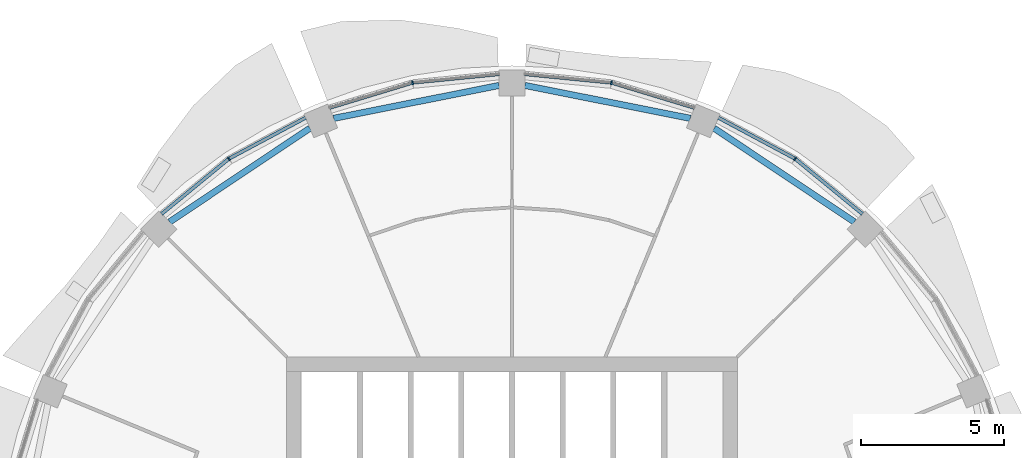
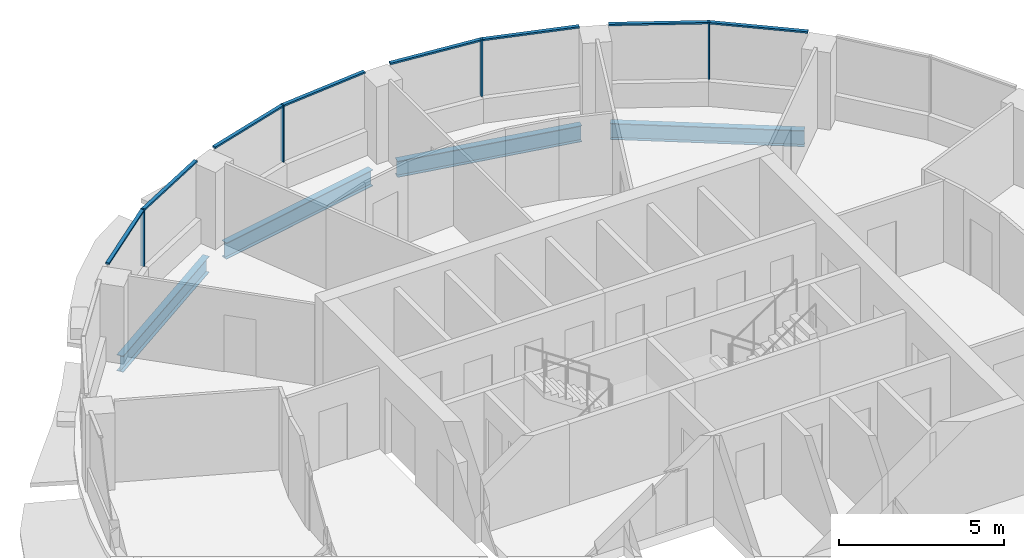
# One storey, part 6 of 15: 12 members, 4 beams, 4 elements without a shape of their own.
"""IFC4 building model written with IfcOpenShell, lengths in metres."""

from ifc_helpers import new_model, si_unit, direction, frame, origin, origin_2d, place, context, subcontext, project, spatial, rectangle, i_section, extrude, material, material_profile, profile_set, type_object, element, aggregate, save


model = new_model("IFC4")

# Units and contexts
model_context = context("Model", 3, precision=1e-05, world=origin(), true_north=direction((0.0, 1.0)))
body_context = subcontext(model_context, "Body", "Model", "MODEL_VIEW")
ifc_project = project(units=[si_unit("LENGTHUNIT", "METRE"), si_unit("AREAUNIT", "SQUARE_METRE"), si_unit("VOLUMEUNIT", "CUBIC_METRE"), si_unit("PLANEANGLEUNIT", "RADIAN"), si_unit("MASSUNIT", "GRAM", prefix="KILO")], contexts=[model_context])

# Site, building, storey
site_placement = place(None, origin())
site = spatial("IfcSite", under=ifc_project, at=site_placement, CompositionType="ELEMENT")
building_placement = place(site_placement, origin())
building = spatial("IfcBuilding", under=site, at=building_placement, Name="Polderwave Tower", CompositionType="ELEMENT")
storey_placement = place(building_placement, frame((0.0, 0.0, 191.0)))
storey = spatial("IfcBuildingStorey", under=building, at=storey_placement, Name="L51", CompositionType="ELEMENT", Elevation=191.0)

# Curtain wall, member
ifc_material_1 = material(Name="Aluminium 6063-T6 and glass", Category="aluminium")
curtain_wall_type = type_object("IfcCurtainWallType", Name="Office ribbon glazing wall", PredefinedType="NOTDEFINED", material=ifc_material_1)
curtain_wall_1_placement = place(storey_placement, origin())
curtain_wall_1 = element("IfcCurtainWall", 1, at=curtain_wall_1_placement, inside=storey, type_object=curtain_wall_type, Name="CW3 L51 02", PredefinedType="NOTDEFINED")
ifc_material_2 = material(Name="Aluminium 6063-T6", Category="aluminium")
ifc_material_profile_1 = material_profile(ifc_material_2, rectangle(XDim=0.139892578125, YDim=0.054931640625, at=origin_2d()), Name="AL 55x140")
ifc_profile_set_1 = profile_set([ifc_material_profile_1], Name="Aluminium 6063-T6")
member_type_1 = type_object("IfcMemberType", Name="Office ribbon glazing mullion 55x140", PredefinedType="MULLION", material=ifc_profile_set_1)
member_1_placement = place(storey_placement, frame((9.888916015625, 14.800048828125, 0.89990234375), z_axis=(0.0, 0.0, 1.0), x_axis=(-0.55564569252, -0.831419186923, 0.0)))
member_1 = element("IfcMember", 2, at=member_1_placement, type_object=member_type_1, Name="CW3 mullion 1", PredefinedType="MULLION", context=body_context, shape_type="SweptSolid", body=[
    extrude(rectangle(XDim=0.139892578125, YDim=0.054931640625, at=origin_2d()), origin(), (0.0, 0.0, 1.0), 2.10009765625),
])

curtain_wall_2_placement = place(storey_placement, origin())
curtain_wall_2 = element("IfcCurtainWall", 3, at=curtain_wall_2_placement, inside=storey, type_object=curtain_wall_type, Name="CW3 L51 03", PredefinedType="NOTDEFINED")
member_2_placement = place(storey_placement, frame((3.472900390625, 17.4580078125, 0.89990234375), z_axis=(0.0, 0.0, 1.0), x_axis=(-0.195205010829, -0.980762460409, 0.0)))
member_2 = element("IfcMember", 4, at=member_2_placement, type_object=member_type_1, Name="CW3 mullion 1", PredefinedType="MULLION", context=body_context, shape_type="SweptSolid", body=[
    extrude(rectangle(XDim=0.139892578125, YDim=0.054931640625, at=origin_2d()), origin(), (0.0, 0.0, 1.0), 2.10009765625),
])

curtain_wall_3_placement = place(storey_placement, origin())
curtain_wall_3 = element("IfcCurtainWall", 5, at=curtain_wall_3_placement, inside=storey, type_object=curtain_wall_type, Name="CW3 L51 04", PredefinedType="NOTDEFINED")
member_3_placement = place(storey_placement, frame((-3.472900390625, 17.4580078125, 0.89990234375), z_axis=(0.0, 0.0, 1.0), x_axis=(0.195205010829, -0.980762460409, 0.0)))
member_3 = element("IfcMember", 6, at=member_3_placement, type_object=member_type_1, Name="CW3 mullion 1", PredefinedType="MULLION", context=body_context, shape_type="SweptSolid", body=[
    extrude(rectangle(XDim=0.139892578125, YDim=0.054931640625, at=origin_2d()), origin(), (0.0, 0.0, 1.0), 2.10009765625),
])

curtain_wall_4_placement = place(storey_placement, origin())
curtain_wall_4 = element("IfcCurtainWall", 7, at=curtain_wall_4_placement, inside=storey, type_object=curtain_wall_type, Name="CW3 L51 05", PredefinedType="NOTDEFINED")
member_4_placement = place(storey_placement, frame((-9.888916015625, 14.800048828125, 0.89990234375), z_axis=(0.0, 0.0, 1.0), x_axis=(0.55564569252, -0.831419186923, 0.0)))
member_4 = element("IfcMember", 8, at=member_4_placement, type_object=member_type_1, Name="CW3 mullion 1", PredefinedType="MULLION", context=body_context, shape_type="SweptSolid", body=[
    extrude(rectangle(XDim=0.139892578125, YDim=0.054931640625, at=origin_2d()), origin(), (0.0, 0.0, 1.0), 2.10009765625),
])

# Member
ifc_material_profile_2 = material_profile(ifc_material_2, rectangle(XDim=0.1201171875, YDim=0.06005859375, at=origin_2d()), Name="AL 60x120")
ifc_profile_set_2 = profile_set([ifc_material_profile_2], Name="Aluminium 6063-T6")
member_type_2 = type_object("IfcMemberType", Name="Office ribbon glazing transom 60x120", PredefinedType="USERDEFINED", material=ifc_profile_set_2)
member_5_placement = place(storey_placement, frame((12.237060546875, 12.873046875, 2.969970703125), z_axis=(-0.772973416151, 0.634438411451, 0.0), x_axis=(-0.634438411451, -0.772973416151, 0.0)))
member_5 = element("IfcMember", 9, at=member_5_placement, type_object=member_type_2, Name="CW3 transom 1", ObjectType="TRANSOM", PredefinedType="USERDEFINED", context=body_context, shape_type="SweptSolid", body=[
    extrude(rectangle(XDim=0.1201171875, YDim=0.06005859375, at=origin_2d()), origin(), (0.0, 0.0, 1.0), 3.010009765625),
])

member_6_placement = place(storey_placement, frame((9.86474609375, 14.81298828125, 2.969970703125), z_axis=(-0.881858389834, 0.471514347904, 0.0), x_axis=(-0.471514347904, -0.881858389834, 0.0)))
member_6 = element("IfcMember", 10, at=member_6_placement, type_object=member_type_2, Name="CW3 transom 2", ObjectType="TRANSOM", PredefinedType="USERDEFINED", context=body_context, shape_type="SweptSolid", body=[
    extrude(rectangle(XDim=0.1201171875, YDim=0.06005859375, at=origin_2d()), origin(), (0.0, 0.0, 1.0), 3.00927734375),
])

aggregate(curtain_wall_1, [member_1, member_5, member_6])

member_7_placement = place(storey_placement, frame((6.37890625, 16.575927734375, 2.969970703125), z_axis=(-0.956894669137, 0.290435177237, 0.0), x_axis=(-0.290435177237, -0.956894669137, 0.0)))
member_7 = element("IfcMember", 11, at=member_7_placement, type_object=member_type_2, Name="CW3 transom 1", ObjectType="TRANSOM", PredefinedType="USERDEFINED", context=body_context, shape_type="SweptSolid", body=[
    extrude(rectangle(XDim=0.1201171875, YDim=0.06005859375, at=origin_2d()), origin(), (0.0, 0.0, 1.0), 3.00927734375),
])

member_8_placement = place(storey_placement, frame((3.445556640625, 17.460693359375, 2.969970703125), z_axis=(-0.995172769084, 0.098138471931, 0.0), x_axis=(-0.098138471931, -0.995172769084, 0.0)))
member_8 = element("IfcMember", 12, at=member_8_placement, type_object=member_type_2, Name="CW3 transom 2", ObjectType="TRANSOM", PredefinedType="USERDEFINED", context=body_context, shape_type="SweptSolid", body=[
    extrude(rectangle(XDim=0.1201171875, YDim=0.06005859375, at=origin_2d()), origin(), (0.0, 0.0, 1.0), 3.01025390625),
])

aggregate(curtain_wall_2, [member_2, member_7, member_8])

member_9_placement = place(storey_placement, frame((-0.449951171875, 17.756103515625, 2.969970703125), z_axis=(-0.995172769084, -0.098138471931, 0.0), x_axis=(0.098138471931, -0.995172769084, 0.0)))
member_9 = element("IfcMember", 13, at=member_9_placement, type_object=member_type_2, Name="CW3 transom 1", ObjectType="TRANSOM", PredefinedType="USERDEFINED", context=body_context, shape_type="SweptSolid", body=[
    extrude(rectangle(XDim=0.1201171875, YDim=0.06005859375, at=origin_2d()), origin(), (0.0, 0.0, 1.0), 3.01025390625),
])

member_10_placement = place(storey_placement, frame((-3.499267578125, 17.449951171875, 2.969970703125), z_axis=(-0.956894669137, -0.290435177237, 0.0), x_axis=(0.290435177237, -0.956894669137, 0.0)))
member_10 = element("IfcMember", 14, at=member_10_placement, type_object=member_type_2, Name="CW3 transom 2", ObjectType="TRANSOM", PredefinedType="USERDEFINED", context=body_context, shape_type="SweptSolid", body=[
    extrude(rectangle(XDim=0.1201171875, YDim=0.06005859375, at=origin_2d()), origin(), (0.0, 0.0, 1.0), 3.00927734375),
])

aggregate(curtain_wall_3, [member_3, member_9, member_10])

member_11_placement = place(storey_placement, frame((-7.2109375, 16.23193359375, 2.969970703125), z_axis=(-0.881858389834, -0.471514347904, 0.0), x_axis=(0.471514347904, -0.881858389834, 0.0)))
member_11 = element("IfcMember", 15, at=member_11_placement, type_object=member_type_2, Name="CW3 transom 1", ObjectType="TRANSOM", PredefinedType="USERDEFINED", context=body_context, shape_type="SweptSolid", body=[
    extrude(rectangle(XDim=0.1201171875, YDim=0.06005859375, at=origin_2d()), origin(), (0.0, 0.0, 1.0), 3.00927734375),
])

member_12_placement = place(storey_placement, frame((-9.910400390625, 14.78271484375, 2.969970703125), z_axis=(-0.772973416151, -0.634438411451, 0.0), x_axis=(0.634438411451, -0.772973416151, 0.0)))
member_12 = element("IfcMember", 16, at=member_12_placement, type_object=member_type_2, Name="CW3 transom 2", ObjectType="TRANSOM", PredefinedType="USERDEFINED", context=body_context, shape_type="SweptSolid", body=[
    extrude(rectangle(XDim=0.1201171875, YDim=0.06005859375, at=origin_2d()), origin(), (0.0, 0.0, 1.0), 3.010009765625),
])

aggregate(curtain_wall_4, [member_4, member_11, member_12])

# Beams
ifc_material_3 = material(Name="Steel S355", Category="steel")
ifc_material_profile_3 = material_profile(ifc_material_3, i_section(OverallWidth=0.219970703125, OverallDepth=0.60009765625, WebThickness=0.011962890625, FlangeThickness=0.01904296875, at=origin_2d()), Name="IPE 600")
ifc_profile_set_3 = profile_set([ifc_material_profile_3], Name="Steel S355")
beam_type = type_object("IfcBeamType", Name="RING BEAM IPE 600", PredefinedType="BEAM", material=ifc_profile_set_3)
beam_1_placement = place(storey_placement, frame((11.95751953125, 12.593994140625, -0.64990234375), z_axis=(-0.831482400805, 0.555551093196, 0.0), x_axis=(-0.555551093196, -0.831482400805, 0.0)))
element("IfcBeam", 17, at=beam_1_placement, inside=storey, type_object=beam_type, Name="ST-RB-L51-02", PredefinedType="BEAM", context=body_context, shape_type="SweptSolid", body=[
    extrude(i_section(OverallWidth=0.219970703125, OverallDepth=0.60009765625, WebThickness=0.011962890625, FlangeThickness=0.01904296875, at=origin_2d()), origin(), (0.0, 0.0, 1.0), 5.890869140625),
])
for number, where, z_axis, x_axis, name in (
    (18, (6.227783203125, 16.211181640625, -0.64990234375), (-0.980780998813, 0.195111845788, 0.0), (-0.195111845788, -0.980780998813, 0.0), "ST-RB-L51-03"),
    (19, (-0.449951171875, 17.360595703125, -0.64990234375), (-0.980780998813, -0.195111845788, 0.0), (0.195111845788, -0.980780998813, 0.0), "ST-RB-L51-04"),
):
    element("IfcBeam", number, at=place(storey_placement, frame(where, z_axis=z_axis, x_axis=x_axis)), inside=storey, type_object=beam_type, Name=name, PredefinedType="BEAM", context=body_context, shape_type="SweptSolid", body=[
        extrude(i_section(OverallWidth=0.219970703125, OverallDepth=0.60009765625, WebThickness=0.011962890625, FlangeThickness=0.01904296875, at=origin_2d()), origin(), (0.0, 0.0, 1.0), 5.89111328125),
    ])
beam_2_placement = place(storey_placement, frame((-7.059326171875, 15.86669921875, -0.64990234375), z_axis=(-0.831482400805, -0.555551093196, 0.0), x_axis=(0.555551093196, -0.831482400805, 0.0)))
element("IfcBeam", 20, at=beam_2_placement, inside=storey, type_object=beam_type, Name="ST-RB-L51-05", PredefinedType="BEAM", context=body_context, shape_type="SweptSolid", body=[
    extrude(i_section(OverallWidth=0.219970703125, OverallDepth=0.60009765625, WebThickness=0.011962890625, FlangeThickness=0.01904296875, at=origin_2d()), origin(), (0.0, 0.0, 1.0), 5.890869140625),
])

save(model, "model.ifc")
